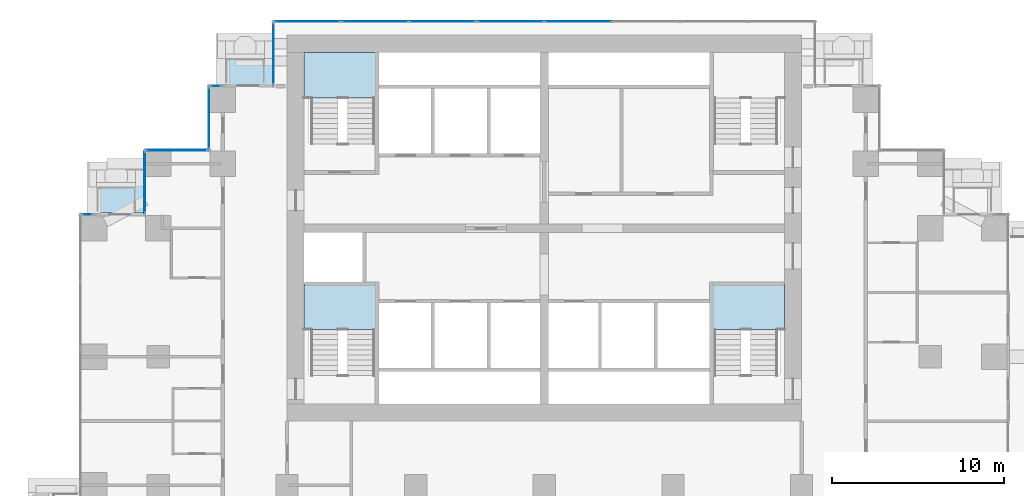
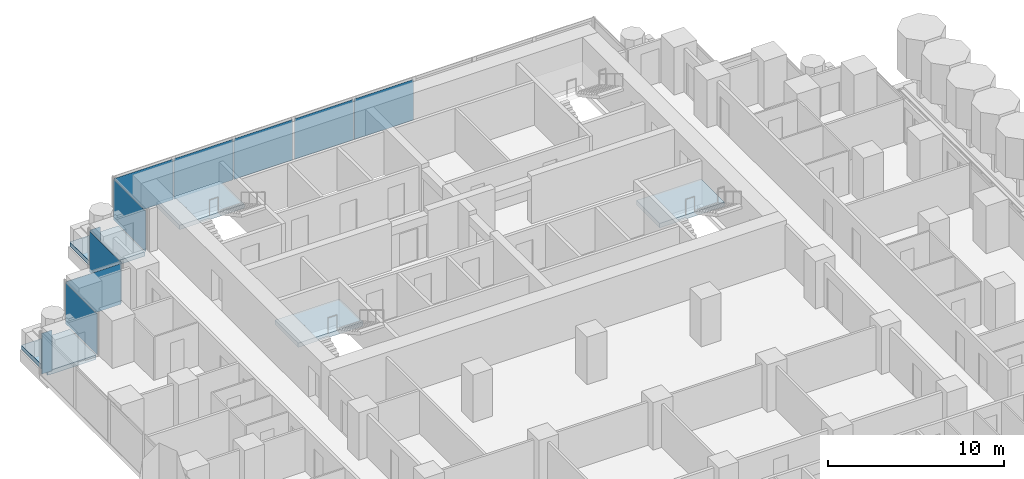
# One storey, part 9 of 19: 11 plates, 5 slabs, 11 elements without a shape of their own.
"""IFC4 building model written with IfcOpenShell, lengths in metres."""

from ifc_helpers import new_model, si_unit, direction, frame, origin, origin_2d, place, context, subcontext, project, spatial, polyline, rectangle, outline, extrude, material, layer, layer_set, type_object, element, aggregate, save


model = new_model("IFC4")

# Units and contexts
model_context = context("Model", 3, precision=1e-05, world=origin(), true_north=direction((0.0, 1.0)))
body_context = subcontext(model_context, "Body", "Model", "MODEL_VIEW")
ifc_project = project(units=[si_unit("LENGTHUNIT", "METRE"), si_unit("AREAUNIT", "SQUARE_METRE"), si_unit("VOLUMEUNIT", "CUBIC_METRE"), si_unit("PLANEANGLEUNIT", "RADIAN"), si_unit("MASSUNIT", "GRAM", prefix="KILO")], contexts=[model_context])

# Site, building, storey
site_placement = place(None, origin())
site = spatial("IfcSite", under=ifc_project, at=site_placement, CompositionType="ELEMENT")
building_placement = place(site_placement, origin())
building = spatial("IfcBuilding", under=site, at=building_placement, Name="Pilkhan Gate Tower", CompositionType="ELEMENT")
storey_placement = place(building_placement, frame((0.0, 0.0, 65.89990234375)))
storey = spatial("IfcBuildingStorey", under=building, at=storey_placement, Name="L14", CompositionType="ELEMENT", Elevation=65.89990234375)

# Slabs
ifc_material_1 = material(Name="Concrete C60/75", Category="concrete")
ifc_layer_1 = layer(ifc_material_1, 0.300048828125)
ifc_layer_set_1 = layer_set([ifc_layer_1], Name="Balcony tray slab TR300")
slab_type_1 = type_object("IfcSlabType", Name="Balcony tray slab TR300", PredefinedType="FLOOR", material=ifc_layer_set_1)
slab_1_placement = place(storey_placement, frame((0.0, 0.0, -0.2998046875)))
element("IfcSlab", 1, at=slab_1_placement, inside=storey, type_object=slab_type_1, Name="Balcony tray L14 N", PredefinedType="FLOOR", context=body_context, shape_type="SweptSolid", body=[
    extrude(outline(polyline([(59.14990234375, 90.85009765625), (59.14990234375, 93.85009765625), (55.949951171875, 93.85009765625), (55.949951171875, 90.85009765625), (59.14990234375, 90.85009765625)])), origin(), (0.0, 0.0, 1.0), 0.2998046875),
])
slab_2_placement = place(storey_placement, frame((0.0, 0.0, -0.2998046875)))
element("IfcSlab", 2, at=slab_2_placement, inside=storey, type_object=slab_type_1, Name="Balcony tray L14 N", PredefinedType="FLOOR", context=body_context, shape_type="SweptSolid", body=[
    extrude(outline(polyline([(51.6298828125, 83.3701171875), (51.6298828125, 86.35009765625), (48.449951171875, 86.35009765625), (48.449951171875, 83.3701171875), (51.6298828125, 83.3701171875)])), origin(), (0.0, 0.0, 1.0), 0.2998046875),
])

# Curtain wall, plates
ifc_material_2 = material(Name="Pale anodised aluminium, clear low-iron double glazing", Category="aluminium")
curtain_wall_type = type_object("IfcCurtainWallType", Name="Hotel unitised curtain wall CW-H", PredefinedType="USERDEFINED", material=ifc_material_2)
curtain_wall_1_placement = place(storey_placement, origin())
curtain_wall_1 = element("IfcCurtainWall", 3, at=curtain_wall_1_placement, inside=storey, type_object=curtain_wall_type, Name="Hotel unitised curtain wall CW-H L14 N", ObjectType="UNITISED CURTAIN WALL", PredefinedType="USERDEFINED")
ifc_material_3 = material(Name="Clear low-iron double glazing", Category="glass")
ifc_layer_2 = layer(ifc_material_3, 0.035888671875)
ifc_layer_set_2 = layer_set([ifc_layer_2], Name="Glass panel CW-H 36")
plate_type = type_object("IfcPlateType", Name="Glass panel CW-H 36", PredefinedType="CURTAIN_PANEL", material=ifc_layer_set_2)
plate_1_placement = place(storey_placement, frame((61.195556640625, 94.544921875, 0.0), z_axis=(0.0, 0.0, 1.0), x_axis=(1.0, 0.0, 0.0)))
plate_1 = element("IfcPlate", 4, at=plate_1_placement, type_object=plate_type, Name="CW-H panel 1", PredefinedType="CURTAIN_PANEL", context=body_context, shape_type="SweptSolid", body=[
    extrude(rectangle(XDim=3.851318359375, YDim=0.035888671875, at=origin_2d()), origin(), (0.0, 0.0, 1.0), 2.820068359375),
])
plate_2_placement = place(storey_placement, frame((65.128173828125, 94.544921875, 0.0), z_axis=(0.0, 0.0, 1.0), x_axis=(1.0, 0.0, 0.0)))
plate_2 = element("IfcPlate", 5, at=plate_2_placement, type_object=plate_type, Name="CW-H panel 2", PredefinedType="CURTAIN_PANEL", context=body_context, shape_type="SweptSolid", body=[
    extrude(rectangle(XDim=3.8837890625, YDim=0.035888671875, at=origin_2d()), origin(), (0.0, 0.0, 1.0), 2.820068359375),
])
plate_3_placement = place(storey_placement, frame((69.060546875, 94.544921875, 0.0), z_axis=(0.0, 0.0, 1.0), x_axis=(1.0, 0.0, 0.0)))
plate_3 = element("IfcPlate", 6, at=plate_3_placement, type_object=plate_type, Name="CW-H panel 3", PredefinedType="CURTAIN_PANEL", context=body_context, shape_type="SweptSolid", body=[
    extrude(rectangle(XDim=3.851318359375, YDim=0.035888671875, at=origin_2d()), origin(), (0.0, 0.0, 1.0), 2.820068359375),
])
aggregate(curtain_wall_1, [plate_1, plate_2, plate_3])

curtain_wall_2_placement = place(storey_placement, origin())
curtain_wall_2 = element("IfcCurtainWall", 7, at=curtain_wall_2_placement, inside=storey, type_object=curtain_wall_type, Name="Hotel unitised curtain wall CW-H L14 N", ObjectType="UNITISED CURTAIN WALL", PredefinedType="USERDEFINED")
plate_4_placement = place(storey_placement, frame((73.0419921875, 94.544921875, 0.0), z_axis=(0.0, 0.0, 1.0), x_axis=(1.0, 0.0, 0.0)))
plate_4 = element("IfcPlate", 8, at=plate_4_placement, type_object=plate_type, Name="CW-H panel 1", PredefinedType="CURTAIN_PANEL", context=body_context, shape_type="SweptSolid", body=[
    extrude(rectangle(XDim=3.851318359375, YDim=0.035888671875, at=origin_2d()), origin(), (0.0, 0.0, 1.0), 2.820068359375),
])
plate_5_placement = place(storey_placement, frame((76.974365234375, 94.544921875, 0.0), z_axis=(0.0, 0.0, 1.0), x_axis=(1.0, 0.0, 0.0)))
plate_5 = element("IfcPlate", 9, at=plate_5_placement, type_object=plate_type, Name="CW-H panel 2", PredefinedType="CURTAIN_PANEL", context=body_context, shape_type="SweptSolid", body=[
    extrude(rectangle(XDim=3.8837890625, YDim=0.035888671875, at=origin_2d()), origin(), (0.0, 0.0, 1.0), 2.820068359375),
])
aggregate(curtain_wall_2, [plate_4, plate_5])

# Curtain wall, plate
curtain_wall_3_placement = place(storey_placement, origin())
curtain_wall_3 = element("IfcCurtainWall", 10, at=curtain_wall_3_placement, inside=storey, type_object=curtain_wall_type, Name="Hotel unitised curtain wall CW-H L14 W", ObjectType="UNITISED CURTAIN WALL", PredefinedType="USERDEFINED")
plate_6_placement = place(storey_placement, frame((59.205078125, 92.669921875, 0.0), z_axis=(0.0, 0.0, 1.0), x_axis=(0.0, 1.0, 0.0)))
plate_6 = element("IfcPlate", 11, at=plate_6_placement, type_object=plate_type, Name="CW-H panel 1", PredefinedType="CURTAIN_PANEL", context=body_context, shape_type="SweptSolid", body=[
    extrude(rectangle(XDim=3.6201171875, YDim=0.035888671875, at=origin_2d()), origin(), (0.0, 0.0, 1.0), 2.820068359375),
])
aggregate(curtain_wall_3, [plate_6])

curtain_wall_4_placement = place(storey_placement, origin())
curtain_wall_4 = element("IfcCurtainWall", 12, at=curtain_wall_4_placement, inside=storey, type_object=curtain_wall_type, Name="Hotel unitised curtain wall CW-H L14 N", ObjectType="UNITISED CURTAIN WALL", PredefinedType="USERDEFINED")
plate_7_placement = place(storey_placement, frame((55.8525390625, 90.794921875, 0.0), z_axis=(0.0, 0.0, 1.0), x_axis=(1.0, 0.0, 0.0)))
plate_7 = element("IfcPlate", 13, at=plate_7_placement, type_object=plate_type, Name="CW-H panel 1", PredefinedType="CURTAIN_PANEL", context=body_context, shape_type="SweptSolid", body=[
    extrude(rectangle(XDim=0.6650390625, YDim=0.035888671875, at=origin_2d()), origin(), (0.0, 0.0, 1.0), 2.820068359375),
])
aggregate(curtain_wall_4, [plate_7])

curtain_wall_5_placement = place(storey_placement, origin())
curtain_wall_5 = element("IfcCurtainWall", 14, at=curtain_wall_5_placement, inside=storey, type_object=curtain_wall_type, Name="Hotel unitised curtain wall CW-H L14 W", ObjectType="UNITISED CURTAIN WALL", PredefinedType="USERDEFINED")
plate_8_placement = place(storey_placement, frame((55.455078125, 88.919921875, 0.0), z_axis=(0.0, 0.0, 1.0), x_axis=(0.0, 1.0, 0.0)))
plate_8 = element("IfcPlate", 15, at=plate_8_placement, type_object=plate_type, Name="CW-H panel 1", PredefinedType="CURTAIN_PANEL", context=body_context, shape_type="SweptSolid", body=[
    extrude(rectangle(XDim=3.6201171875, YDim=0.035888671875, at=origin_2d()), origin(), (0.0, 0.0, 1.0), 2.820068359375),
])
aggregate(curtain_wall_5, [plate_8])

curtain_wall_6_placement = place(storey_placement, origin())
curtain_wall_6 = element("IfcCurtainWall", 16, at=curtain_wall_6_placement, inside=storey, type_object=curtain_wall_type, Name="Hotel unitised curtain wall CW-H L14 N", ObjectType="UNITISED CURTAIN WALL", PredefinedType="USERDEFINED")
plate_9_placement = place(storey_placement, frame((53.580078125, 87.044921875, 0.0), z_axis=(0.0, 0.0, 1.0), x_axis=(1.0, 0.0, 0.0)))
plate_9 = element("IfcPlate", 17, at=plate_9_placement, type_object=plate_type, Name="CW-H panel 1", PredefinedType="CURTAIN_PANEL", context=body_context, shape_type="SweptSolid", body=[
    extrude(rectangle(XDim=3.6201171875, YDim=0.035888671875, at=origin_2d()), origin(), (0.0, 0.0, 1.0), 2.820068359375),
])
aggregate(curtain_wall_6, [plate_9])

curtain_wall_7_placement = place(storey_placement, origin())
curtain_wall_7 = element("IfcCurtainWall", 18, at=curtain_wall_7_placement, inside=storey, type_object=curtain_wall_type, Name="Hotel unitised curtain wall CW-H L14 W", ObjectType="UNITISED CURTAIN WALL", PredefinedType="USERDEFINED")
plate_10_placement = place(storey_placement, frame((51.705078125, 85.169921875, 0.0), z_axis=(0.0, 0.0, 1.0), x_axis=(0.0, 1.0, 0.0)))
plate_10 = element("IfcPlate", 19, at=plate_10_placement, type_object=plate_type, Name="CW-H panel 1", PredefinedType="CURTAIN_PANEL", context=body_context, shape_type="SweptSolid", body=[
    extrude(rectangle(XDim=3.6201171875, YDim=0.035888671875, at=origin_2d()), origin(), (0.0, 0.0, 1.0), 2.820068359375),
])
aggregate(curtain_wall_7, [plate_10])

curtain_wall_8_placement = place(storey_placement, origin())
curtain_wall_8 = element("IfcCurtainWall", 20, at=curtain_wall_8_placement, inside=storey, type_object=curtain_wall_type, Name="Hotel unitised curtain wall CW-H L14 N", ObjectType="UNITISED CURTAIN WALL", PredefinedType="USERDEFINED")
plate_11_placement = place(storey_placement, frame((48.3525390625, 83.294921875, 0.0), z_axis=(0.0, 0.0, 1.0), x_axis=(1.0, 0.0, 0.0)))
plate_11 = element("IfcPlate", 21, at=plate_11_placement, type_object=plate_type, Name="CW-H panel 1", PredefinedType="CURTAIN_PANEL", context=body_context, shape_type="SweptSolid", body=[
    extrude(rectangle(XDim=0.6650390625, YDim=0.035888671875, at=origin_2d()), origin(), (0.0, 0.0, 1.0), 2.820068359375),
])
aggregate(curtain_wall_8, [plate_11])

# Stair, slab
ifc_material_4 = material(Name="Concrete C40/50 precast", Category="concrete")
stair_type_1 = type_object("IfcStairType", Name="Stair ST1 165x300", PredefinedType="HALF_TURN_STAIR", material=ifc_material_4)
stair_1_placement = place(storey_placement, origin())
stair_1 = element("IfcStair", 22, at=stair_1_placement, inside=storey, type_object=stair_type_1, Name="Stair ST1 L14", PredefinedType="HALF_TURN_STAIR")
ifc_material_5 = material(Name="Concrete C40/50", Category="concrete")
ifc_layer_3 = layer(ifc_material_5, 0.199951171875)
ifc_layer_set_3 = layer_set([ifc_layer_3], Name="Stair landing SL200")
slab_type_2 = type_object("IfcSlabType", Name="Stair landing SL200", PredefinedType="LANDING", material=ifc_layer_set_3)
slab_3_placement = place(storey_placement, frame((0.0, 0.0, 1.35009765625)))
slab_3 = element("IfcSlab", 23, at=slab_3_placement, type_object=slab_type_2, Name="ST1 landing 1", PredefinedType="LANDING", context=body_context, shape_type="SweptSolid", body=[
    extrude(outline(polyline([(89.0, 76.60009765625), (89.0, 79.25), (84.75, 79.25), (84.75, 76.60009765625), (89.0, 76.60009765625)])), origin(), (0.0, 0.0, 1.0), 0.300048828125),
])
aggregate(stair_1, [slab_3])

stair_type_2 = type_object("IfcStairType", Name="Stair ST2 165x300", PredefinedType="HALF_TURN_STAIR", material=ifc_material_4)
stair_2_placement = place(storey_placement, origin())
stair_2 = element("IfcStair", 24, at=stair_2_placement, inside=storey, type_object=stair_type_2, Name="Stair ST2 L14", PredefinedType="HALF_TURN_STAIR")
slab_4_placement = place(storey_placement, frame((0.0, 0.0, 1.35009765625)))
slab_4 = element("IfcSlab", 25, at=slab_4_placement, type_object=slab_type_2, Name="ST2 landing 1", PredefinedType="LANDING", context=body_context, shape_type="SweptSolid", body=[
    extrude(outline(polyline([(65.25, 76.60009765625), (65.25, 79.25), (61.0, 79.25), (61.0, 76.60009765625), (65.25, 76.60009765625)])), origin(), (0.0, 0.0, 1.0), 0.300048828125),
])
aggregate(stair_2, [slab_4])

stair_type_3 = type_object("IfcStairType", Name="Stair ST3 165x300", PredefinedType="HALF_TURN_STAIR", material=ifc_material_4)
stair_3_placement = place(storey_placement, origin())
stair_3 = element("IfcStair", 26, at=stair_3_placement, inside=storey, type_object=stair_type_3, Name="Stair ST3 L14", PredefinedType="HALF_TURN_STAIR")
slab_5_placement = place(storey_placement, frame((0.0, 0.0, 1.35009765625)))
slab_5 = element("IfcSlab", 27, at=slab_5_placement, type_object=slab_type_2, Name="ST3 landing 1", PredefinedType="LANDING", context=body_context, shape_type="SweptSolid", body=[
    extrude(outline(polyline([(65.25, 90.10009765625), (65.25, 92.75), (61.0, 92.75), (61.0, 90.10009765625), (65.25, 90.10009765625)])), origin(), (0.0, 0.0, 1.0), 0.300048828125),
])
aggregate(stair_3, [slab_5])

save(model, "model.ifc")
